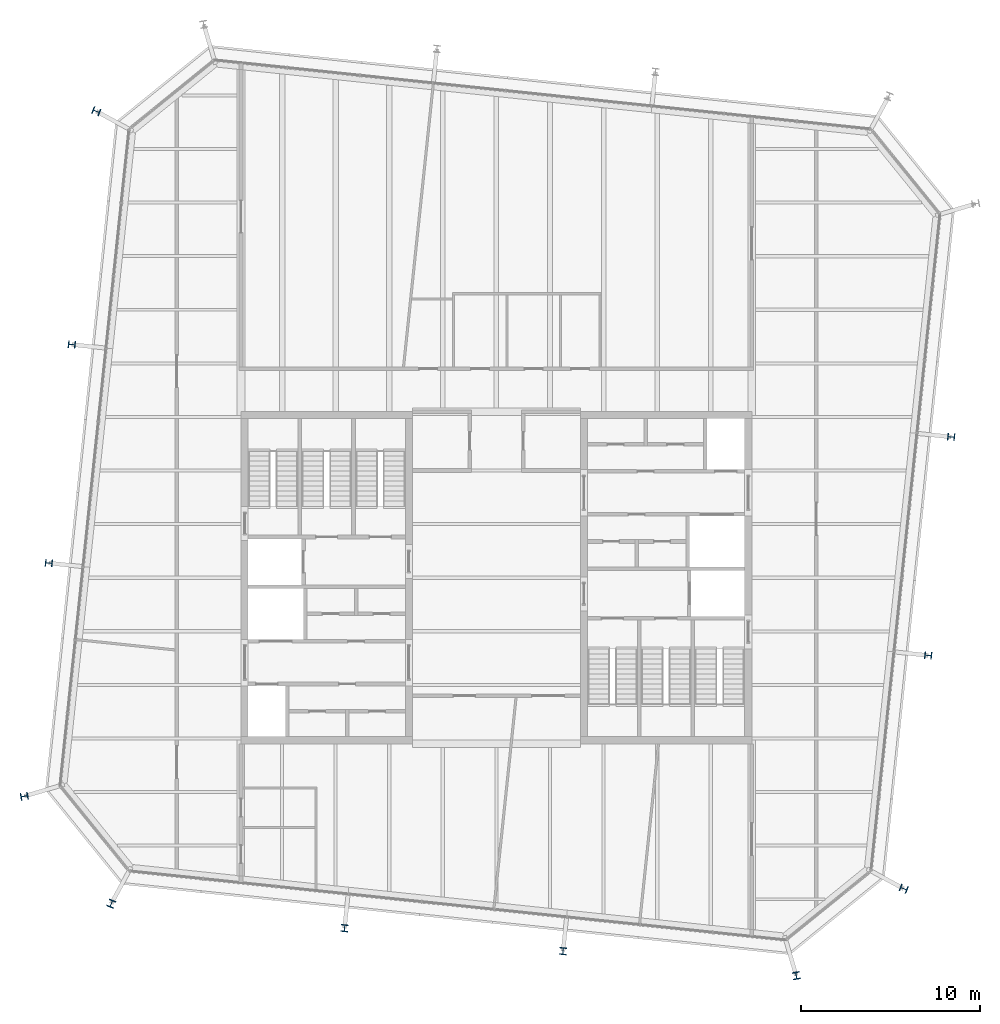
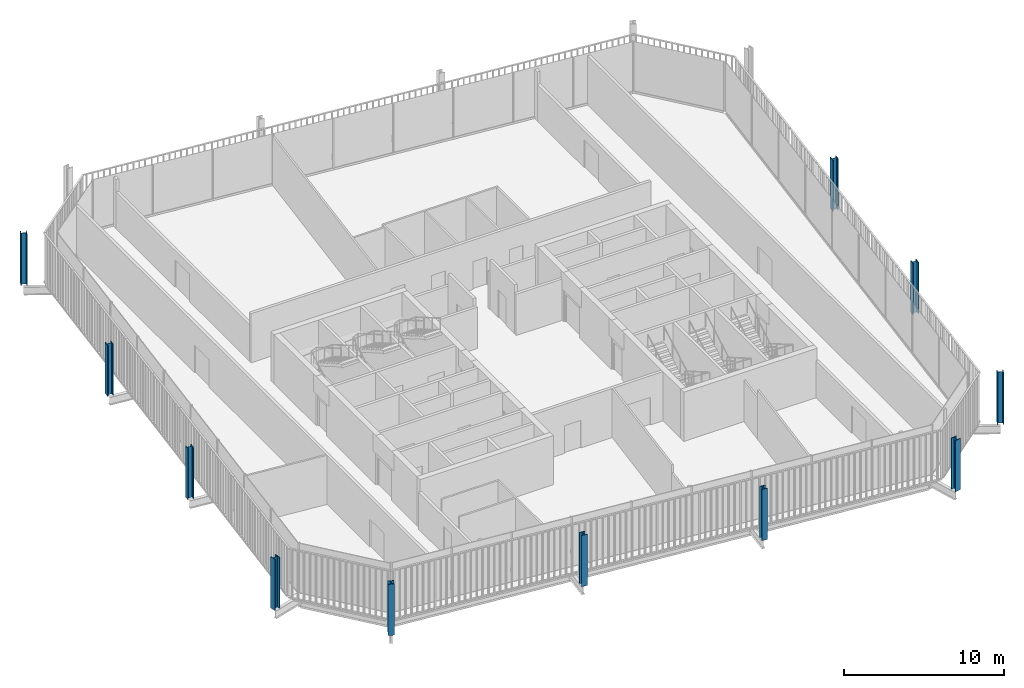
# One storey, part 1 of 20: 11 columns.
"""IFC4 building model written with IfcOpenShell, lengths in metres."""

from ifc_helpers import new_model, si_unit, direction, frame, origin, origin_2d, place, context, subcontext, project, spatial, i_section, extrude, material, material_profile, profile_set, type_object, element, save


model = new_model("IFC4")

# Units and contexts
model_context = context("Model", 3, precision=1e-05, world=origin(), true_north=direction((0.0, 1.0)))
body_context = subcontext(model_context, "Body", "Model", "MODEL_VIEW")
ifc_project = project(units=[si_unit("LENGTHUNIT", "METRE"), si_unit("AREAUNIT", "SQUARE_METRE"), si_unit("VOLUMEUNIT", "CUBIC_METRE"), si_unit("PLANEANGLEUNIT", "RADIAN"), si_unit("MASSUNIT", "GRAM", prefix="KILO")], contexts=[model_context])

# Site, building, storey
site_placement = place(None, origin())
site = spatial("IfcSite", under=ifc_project, at=site_placement, CompositionType="ELEMENT")
building_placement = place(site_placement, origin())
building = spatial("IfcBuilding", under=site, at=building_placement, Name="Millrace Tower", CompositionType="ELEMENT")
storey_placement = place(building_placement, frame((0.0, 0.0, 322.60009765625)))
storey = spatial("IfcBuildingStorey", under=building, at=storey_placement, Name="L74", CompositionType="ELEMENT", Elevation=322.60009765625)

# Columns
ifc_material_1 = material(Name="Steel ASTM A913 Grade 65", Category="steel")
ifc_material_profile_1 = material_profile(ifc_material_1, i_section(OverallWidth=0.4013671875, OverallDepth=0.398681640625, WebThickness=0.02490234375, FlangeThickness=0.03955078125, FilletRadius=0.01513671875, at=origin_2d()))
ifc_profile_set_1 = profile_set([ifc_material_profile_1], Name="Steel ASTM A913 Grade 65")
column_type_1 = type_object("IfcColumnType", Name="Exoskeleton column W14x211", PredefinedType="COLUMN", material=ifc_profile_set_1)
for number, where, z_axis, x_axis, name in (
    (1, (-8.50341796875, -19.62158203125, 0.0), (0.0, 0.0, 1.0), (0.994521897246, -0.104528445407, 0.0), "COL-E-L74-X03"),
    (2, (3.729248046875, -20.9072265625, 0.0), (0.0, 0.0, 1.0), (0.994521897246, -0.104528445407, 0.0), "COL-E-L74-X04"),
    (3, (24.171630859375, -4.353271484375, 0.0), (0.0, 0.0, 1.0), (0.104528445407, 0.994521897246, 0.0), "COL-E-L74-X07"),
    (4, (25.457275390625, 7.879150390625, 0.0), (0.0, 0.0, 1.0), (0.104528445407, 0.994521897246, 0.0), "COL-E-L74-X08"),
    (5, (-23.771484375, 13.053466796875, 0.0), (0.0, 0.0, 1.0), (-0.104528445407, -0.994521897246, 0.0), "COL-E-L74-X15"),
    (6, (-25.057373046875, 0.82080078125, 0.0), (0.0, 0.0, 1.0), (-0.104528445407, -0.994521897246, 0.0), "COL-E-L74-X16"),
):
    element("IfcColumn", number, at=place(storey_placement, frame(where, z_axis=z_axis, x_axis=x_axis)), inside=storey, type_object=column_type_1, Name=name, PredefinedType="COLUMN", context=body_context, shape_type="SweptSolid", body=[
        extrude(i_section(OverallWidth=0.4013671875, OverallDepth=0.398681640625, WebThickness=0.02490234375, FlangeThickness=0.03955078125, FilletRadius=0.01513671875, at=origin_2d()), origin(), (0.0, 0.0, 1.0), 3.89990234375),
    ])
ifc_material_2 = material(Name="Steel ASTM A913 Grade 65", Category="steel")
ifc_material_profile_2 = material_profile(ifc_material_2, i_section(OverallWidth=0.406494140625, OverallDepth=0.41650390625, WebThickness=0.030029296875, FlangeThickness=0.048095703125, FilletRadius=0.01513671875, at=origin_2d()))
ifc_profile_set_2 = profile_set([ifc_material_profile_2], Name="Steel ASTM A913 Grade 65")
column_type_2 = type_object("IfcColumnType", Name="Exoskeleton column W14x257", PredefinedType="COLUMN", material=ifc_profile_set_2)
for number, where, z_axis, x_axis, name in (
    (7, (-26.429443359375, -12.23583984375, 0.0), (0.0, 0.0, 1.0), (0.18038747256, -0.983595628164, 0.0), "COL-E-L74-X01"),
    (8, (-21.559814453125, -18.249267578125, 0.0), (0.0, 0.0, 1.0), (0.92459700658, -0.380946683176, 0.0), "COL-E-L74-X02"),
    (9, (16.78564453125, -22.279541015625, 0.0), (0.0, 0.0, 1.0), (0.983595628164, 0.18038747256, 0.0), "COL-E-L74-X05"),
    (10, (22.79931640625, -17.409912109375, 0.0), (0.0, 0.0, 1.0), (0.380946683176, 0.92459700658, 0.0), "COL-E-L74-X06"),
    (11, (-22.399169921875, 26.10986328125, 0.0), (0.0, 0.0, 1.0), (-0.380946683176, -0.92459700658, 0.0), "COL-E-L74-X14"),
):
    element("IfcColumn", number, at=place(storey_placement, frame(where, z_axis=z_axis, x_axis=x_axis)), inside=storey, type_object=column_type_2, Name=name, PredefinedType="COLUMN", context=body_context, shape_type="SweptSolid", body=[
        extrude(i_section(OverallWidth=0.406494140625, OverallDepth=0.41650390625, WebThickness=0.030029296875, FlangeThickness=0.048095703125, FilletRadius=0.01513671875, at=origin_2d()), origin(), (0.0, 0.0, 1.0), 3.89990234375),
    ])

save(model, "model.ifc")
